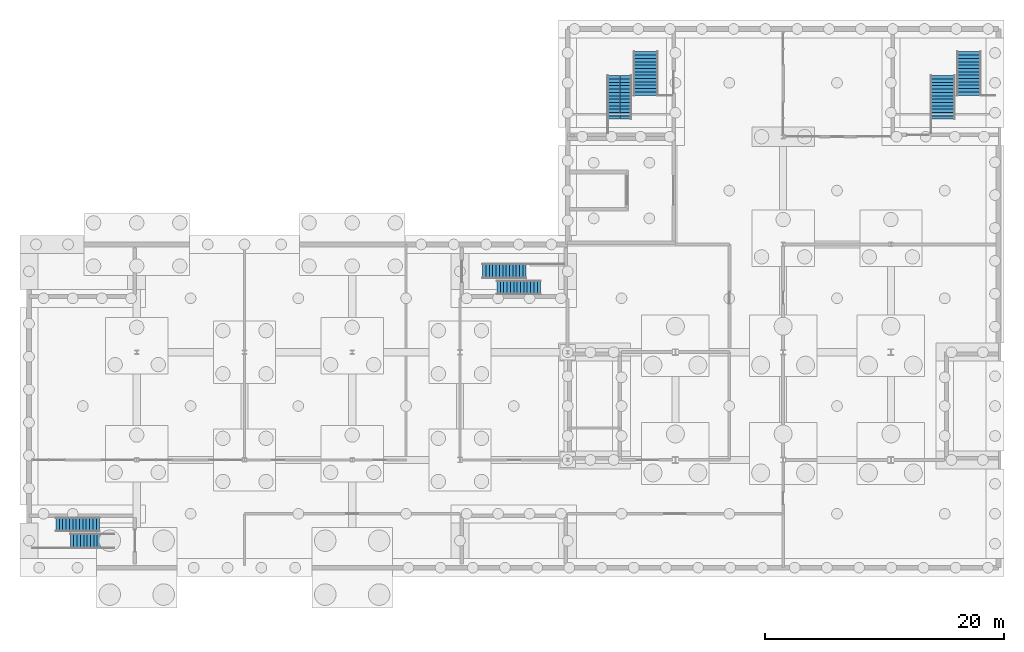
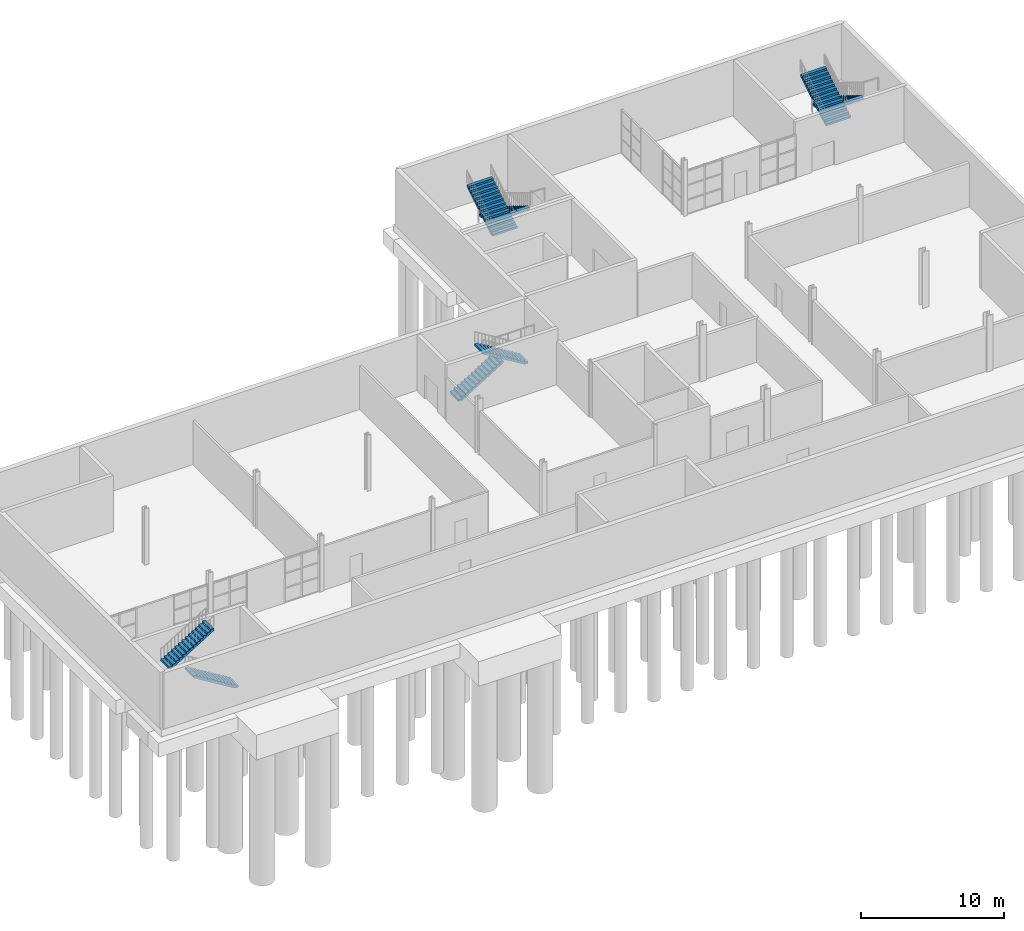
# One storey, part 14 of 17: 8 stair flights, 4 elements without a shape of their own.
"""IFC4 building model written with IfcOpenShell, lengths in metres."""

from ifc_helpers import new_model, si_unit, direction, frame, origin, place, context, subcontext, project, spatial, polyline, outline, extrude, material, type_object, element, aggregate, save


model = new_model("IFC4")

# Units and contexts
model_context = context("Model", 3, precision=1e-05, world=origin(), true_north=direction((0.0, 1.0)))
body_context = subcontext(model_context, "Body", "Model", "MODEL_VIEW")
ifc_project = project(units=[si_unit("LENGTHUNIT", "METRE"), si_unit("AREAUNIT", "SQUARE_METRE"), si_unit("VOLUMEUNIT", "CUBIC_METRE"), si_unit("PLANEANGLEUNIT", "RADIAN"), si_unit("MASSUNIT", "GRAM", prefix="KILO")], contexts=[model_context])

# Site, building, storey
site_placement = place(None, origin())
site = spatial("IfcSite", under=ifc_project, at=site_placement, CompositionType="ELEMENT")
building_placement = place(site_placement, origin())
building = spatial("IfcBuilding", under=site, at=building_placement, Name="Halyard Row Museum", CompositionType="ELEMENT")
storey_placement = place(building_placement, frame((0.0, 0.0, -9.60009765625)))
storey = spatial("IfcBuildingStorey", under=building, at=storey_placement, Name="B2", CompositionType="ELEMENT", Elevation=-9.60009765625)

# Stair, stair flights
ifc_material_1 = material(Name="Concrete 40 MPa", Category="concrete")
stair_type_1 = type_object("IfcStairType", Name="Exit stair two flights 1200", PredefinedType="HALF_TURN_STAIR", material=ifc_material_1)
stair_1_placement = place(storey_placement, origin())
stair_1 = element("IfcStair", 1, at=stair_1_placement, inside=storey, type_object=stair_type_1, Name="Exit stair K1B B2", PredefinedType="HALF_TURN_STAIR")
ifc_material_2 = material(Name="Concrete 40 MPa", Category="concrete")
stair_flight_type_1 = type_object("IfcStairFlightType", Name="Exit stair flight 1200", PredefinedType="STRAIGHT", material=ifc_material_2)
stair_flight_1_placement = place(storey_placement, frame((64.89990234375, 42.75, 0.0), z_axis=(0.0, 0.0, 1.0), x_axis=(1.0, 0.0, 0.0)))
stair_flight_1 = element("IfcStairFlight", 2, at=stair_flight_1_placement, type_object=stair_flight_type_1, Name="STK1B-B2 flight 1", NumberOfRisers=14, NumberOfTreads=13, PredefinedType="STRAIGHT", RiserHeight=0.171428571, TreadLength=0.28, context=body_context, shape_type="SweptSolid", body=[
    extrude(outline(polyline([(0.0, 0.0), (0.0, 0.17138671875), (0.280029296875, 0.17138671875), (0.280029296875, 0.3427734375), (0.56005859375, 0.3427734375), (0.56005859375, 0.514404296875), (0.840087890625, 0.514404296875), (0.840087890625, 0.685791015625), (1.1201171875, 0.685791015625), (1.1201171875, 0.857177734375), (1.39990234375, 0.857177734375), (1.39990234375, 1.028564453125), (1.679931640625, 1.028564453125), (1.679931640625, 1.199951171875), (1.9599609375, 1.199951171875), (1.9599609375, 1.371337890625), (2.239990234375, 1.371337890625), (2.239990234375, 1.54296875), (2.52001953125, 1.54296875), (2.52001953125, 1.71435546875), (2.800048828125, 1.71435546875), (2.800048828125, 1.8857421875), (3.080078125, 1.8857421875), (3.080078125, 2.05712890625), (3.360107421875, 2.05712890625), (3.360107421875, 2.228515625), (3.639892578125, 2.228515625), (3.639892578125, 2.39990234375), (3.639892578125, 2.052734375), (0.287109375, 0.0), (0.0, 0.0)])), frame((0.0, 0.60009765625, 0.0), z_axis=(0.0, -1.0, 0.0), x_axis=(1.0, 0.0, 0.0)), (0.0, 0.0, 1.0), 0.59912109375),
    extrude(outline(polyline([(0.0, 0.0), (0.0, 0.17138671875), (0.280029296875, 0.17138671875), (0.280029296875, 0.3427734375), (0.56005859375, 0.3427734375), (0.56005859375, 0.514404296875), (0.840087890625, 0.514404296875), (0.840087890625, 0.685791015625), (1.1201171875, 0.685791015625), (1.1201171875, 0.857177734375), (1.39990234375, 0.857177734375), (1.39990234375, 1.028564453125), (1.679931640625, 1.028564453125), (1.679931640625, 1.199951171875), (1.9599609375, 1.199951171875), (1.9599609375, 1.371337890625), (2.239990234375, 1.371337890625), (2.239990234375, 1.54296875), (2.52001953125, 1.54296875), (2.52001953125, 1.71435546875), (2.800048828125, 1.71435546875), (2.800048828125, 1.8857421875), (3.080078125, 1.8857421875), (3.080078125, 2.05712890625), (3.360107421875, 2.05712890625), (3.360107421875, 2.228515625), (3.639892578125, 2.228515625), (3.639892578125, 2.39990234375), (3.639892578125, 2.052734375), (0.287109375, 0.0), (0.0, 0.0)])), frame((0.0, -0.0009765625, 0.0), z_axis=(0.0, -1.0, 0.0), x_axis=(1.0, 0.0, 0.0)), (0.0, 0.0, 1.0), 0.59912109375),
])
stair_flight_2_placement = place(storey_placement, frame((69.739990234375, 41.39990234375, 2.400146484375), z_axis=(0.0, 0.0, 1.0), x_axis=(-1.0, 0.0, 0.0)))
stair_flight_2 = element("IfcStairFlight", 3, at=stair_flight_2_placement, type_object=stair_flight_type_1, Name="STK1B-B2 flight 2", NumberOfRisers=14, NumberOfTreads=13, PredefinedType="STRAIGHT", RiserHeight=0.171428571, TreadLength=0.28, context=body_context, shape_type="SweptSolid", body=[
    extrude(outline(polyline([(0.0, 0.0), (0.0, 0.17138671875), (0.280029296875, 0.17138671875), (0.280029296875, 0.3427734375), (0.56005859375, 0.3427734375), (0.56005859375, 0.514404296875), (0.840087890625, 0.514404296875), (0.840087890625, 0.685791015625), (1.1201171875, 0.685791015625), (1.1201171875, 0.857177734375), (1.39990234375, 0.857177734375), (1.39990234375, 1.028564453125), (1.679931640625, 1.028564453125), (1.679931640625, 1.199951171875), (1.9599609375, 1.199951171875), (1.9599609375, 1.371337890625), (2.239990234375, 1.371337890625), (2.239990234375, 1.54296875), (2.52001953125, 1.54296875), (2.52001953125, 1.71435546875), (2.800048828125, 1.71435546875), (2.800048828125, 1.8857421875), (3.080078125, 1.8857421875), (3.080078125, 2.05712890625), (3.360107421875, 2.05712890625), (3.360107421875, 2.228515625), (3.639892578125, 2.228515625), (3.639892578125, 2.39990234375), (3.639892578125, 2.052734375), (0.287109375, 0.0), (0.0, 0.0)])), frame((0.0, 0.60009765625, 0.0), z_axis=(0.0, -1.0, 0.0), x_axis=(1.0, 0.0, 0.0)), (0.0, 0.0, 1.0), 0.59912109375),
    extrude(outline(polyline([(0.0, 0.0), (0.0, 0.17138671875), (0.280029296875, 0.17138671875), (0.280029296875, 0.3427734375), (0.56005859375, 0.3427734375), (0.56005859375, 0.514404296875), (0.840087890625, 0.514404296875), (0.840087890625, 0.685791015625), (1.1201171875, 0.685791015625), (1.1201171875, 0.857177734375), (1.39990234375, 0.857177734375), (1.39990234375, 1.028564453125), (1.679931640625, 1.028564453125), (1.679931640625, 1.199951171875), (1.9599609375, 1.199951171875), (1.9599609375, 1.371337890625), (2.239990234375, 1.371337890625), (2.239990234375, 1.54296875), (2.52001953125, 1.54296875), (2.52001953125, 1.71435546875), (2.800048828125, 1.71435546875), (2.800048828125, 1.8857421875), (3.080078125, 1.8857421875), (3.080078125, 2.05712890625), (3.360107421875, 2.05712890625), (3.360107421875, 2.228515625), (3.639892578125, 2.228515625), (3.639892578125, 2.39990234375), (3.639892578125, 2.052734375), (0.287109375, 0.0), (0.0, 0.0)])), frame((0.0, -0.0009765625, 0.0), z_axis=(0.0, -1.0, 0.0), x_axis=(1.0, 0.0, 0.0)), (0.0, 0.0, 1.0), 0.59912109375),
])
aggregate(stair_1, [stair_flight_1, stair_flight_2])

stair_2_placement = place(storey_placement, origin())
stair_2 = element("IfcStair", 4, at=stair_2_placement, inside=storey, type_object=stair_type_1, Name="Exit stair K1D B2", PredefinedType="HALF_TURN_STAIR")
stair_flight_3_placement = place(storey_placement, frame((34.10009765625, 20.25, 0.0), z_axis=(0.0, 0.0, 1.0), x_axis=(-1.0, 0.0, 0.0)))
stair_flight_3 = element("IfcStairFlight", 5, at=stair_flight_3_placement, type_object=stair_flight_type_1, Name="STK1D-B2 flight 1", NumberOfRisers=14, NumberOfTreads=13, PredefinedType="STRAIGHT", RiserHeight=0.171428571, TreadLength=0.28, context=body_context, shape_type="SweptSolid", body=[
    extrude(outline(polyline([(0.0, 0.0), (0.0, 0.17138671875), (0.280029296875, 0.17138671875), (0.280029296875, 0.3427734375), (0.56005859375, 0.3427734375), (0.56005859375, 0.514404296875), (0.840087890625, 0.514404296875), (0.840087890625, 0.685791015625), (1.1201171875, 0.685791015625), (1.1201171875, 0.857177734375), (1.39990234375, 0.857177734375), (1.39990234375, 1.028564453125), (1.679931640625, 1.028564453125), (1.679931640625, 1.199951171875), (1.9599609375, 1.199951171875), (1.9599609375, 1.371337890625), (2.239990234375, 1.371337890625), (2.239990234375, 1.54296875), (2.52001953125, 1.54296875), (2.52001953125, 1.71435546875), (2.800048828125, 1.71435546875), (2.800048828125, 1.8857421875), (3.080078125, 1.8857421875), (3.080078125, 2.05712890625), (3.360107421875, 2.05712890625), (3.360107421875, 2.228515625), (3.639892578125, 2.228515625), (3.639892578125, 2.39990234375), (3.639892578125, 2.052734375), (0.287109375, 0.0), (0.0, 0.0)])), frame((0.0, 0.60009765625, 0.0), z_axis=(0.0, -1.0, 0.0), x_axis=(1.0, 0.0, 0.0)), (0.0, 0.0, 1.0), 0.59912109375),
    extrude(outline(polyline([(0.0, 0.0), (0.0, 0.17138671875), (0.280029296875, 0.17138671875), (0.280029296875, 0.3427734375), (0.56005859375, 0.3427734375), (0.56005859375, 0.514404296875), (0.840087890625, 0.514404296875), (0.840087890625, 0.685791015625), (1.1201171875, 0.685791015625), (1.1201171875, 0.857177734375), (1.39990234375, 0.857177734375), (1.39990234375, 1.028564453125), (1.679931640625, 1.028564453125), (1.679931640625, 1.199951171875), (1.9599609375, 1.199951171875), (1.9599609375, 1.371337890625), (2.239990234375, 1.371337890625), (2.239990234375, 1.54296875), (2.52001953125, 1.54296875), (2.52001953125, 1.71435546875), (2.800048828125, 1.71435546875), (2.800048828125, 1.8857421875), (3.080078125, 1.8857421875), (3.080078125, 2.05712890625), (3.360107421875, 2.05712890625), (3.360107421875, 2.228515625), (3.639892578125, 2.228515625), (3.639892578125, 2.39990234375), (3.639892578125, 2.052734375), (0.287109375, 0.0), (0.0, 0.0)])), frame((0.0, -0.0009765625, 0.0), z_axis=(0.0, -1.0, 0.0), x_axis=(1.0, 0.0, 0.0)), (0.0, 0.0, 1.0), 0.59912109375),
])
stair_flight_4_placement = place(storey_placement, frame((29.260009765625, 21.60009765625, 2.400146484375), z_axis=(0.0, 0.0, 1.0), x_axis=(1.0, 0.0, 0.0)))
stair_flight_4 = element("IfcStairFlight", 6, at=stair_flight_4_placement, type_object=stair_flight_type_1, Name="STK1D-B2 flight 2", NumberOfRisers=14, NumberOfTreads=13, PredefinedType="STRAIGHT", RiserHeight=0.171428571, TreadLength=0.28, context=body_context, shape_type="SweptSolid", body=[
    extrude(outline(polyline([(0.0, 0.0), (0.0, 0.17138671875), (0.280029296875, 0.17138671875), (0.280029296875, 0.3427734375), (0.56005859375, 0.3427734375), (0.56005859375, 0.514404296875), (0.840087890625, 0.514404296875), (0.840087890625, 0.685791015625), (1.1201171875, 0.685791015625), (1.1201171875, 0.857177734375), (1.39990234375, 0.857177734375), (1.39990234375, 1.028564453125), (1.679931640625, 1.028564453125), (1.679931640625, 1.199951171875), (1.9599609375, 1.199951171875), (1.9599609375, 1.371337890625), (2.239990234375, 1.371337890625), (2.239990234375, 1.54296875), (2.52001953125, 1.54296875), (2.52001953125, 1.71435546875), (2.800048828125, 1.71435546875), (2.800048828125, 1.8857421875), (3.080078125, 1.8857421875), (3.080078125, 2.05712890625), (3.360107421875, 2.05712890625), (3.360107421875, 2.228515625), (3.639892578125, 2.228515625), (3.639892578125, 2.39990234375), (3.639892578125, 2.052734375), (0.287109375, 0.0), (0.0, 0.0)])), frame((0.0, 0.60009765625, 0.0), z_axis=(0.0, -1.0, 0.0), x_axis=(1.0, 0.0, 0.0)), (0.0, 0.0, 1.0), 0.59912109375),
    extrude(outline(polyline([(0.0, 0.0), (0.0, 0.17138671875), (0.280029296875, 0.17138671875), (0.280029296875, 0.3427734375), (0.56005859375, 0.3427734375), (0.56005859375, 0.514404296875), (0.840087890625, 0.514404296875), (0.840087890625, 0.685791015625), (1.1201171875, 0.685791015625), (1.1201171875, 0.857177734375), (1.39990234375, 0.857177734375), (1.39990234375, 1.028564453125), (1.679931640625, 1.028564453125), (1.679931640625, 1.199951171875), (1.9599609375, 1.199951171875), (1.9599609375, 1.371337890625), (2.239990234375, 1.371337890625), (2.239990234375, 1.54296875), (2.52001953125, 1.54296875), (2.52001953125, 1.71435546875), (2.800048828125, 1.71435546875), (2.800048828125, 1.8857421875), (3.080078125, 1.8857421875), (3.080078125, 2.05712890625), (3.360107421875, 2.05712890625), (3.360107421875, 2.228515625), (3.639892578125, 2.228515625), (3.639892578125, 2.39990234375), (3.639892578125, 2.052734375), (0.287109375, 0.0), (0.0, 0.0)])), frame((0.0, -0.0009765625, 0.0), z_axis=(0.0, -1.0, 0.0), x_axis=(1.0, 0.0, 0.0)), (0.0, 0.0, 1.0), 0.59912109375),
])
aggregate(stair_2, [stair_flight_3, stair_flight_4])

ifc_material_3 = material(Name="Concrete 40 MPa", Category="concrete")
stair_type_2 = type_object("IfcStairType", Name="Exit stair two flights 2000", PredefinedType="HALF_TURN_STAIR", material=ifc_material_3)
stair_3_placement = place(storey_placement, origin())
stair_3 = element("IfcStair", 7, at=stair_3_placement, inside=storey, type_object=stair_type_2, Name="Exit stair K5A B2", PredefinedType="HALF_TURN_STAIR")
ifc_material_4 = material(Name="Concrete 40 MPa", Category="concrete")
stair_flight_type_2 = type_object("IfcStairFlightType", Name="Exit stair flight 2000", PredefinedType="STRAIGHT", material=ifc_material_4)
stair_flight_5_placement = place(storey_placement, frame((78.5, 61.10009765625, 0.0), z_axis=(0.0, 0.0, 1.0), x_axis=(0.0, -1.0, 0.0)))
stair_flight_5 = element("IfcStairFlight", 8, at=stair_flight_5_placement, type_object=stair_flight_type_2, Name="STK5A-B2 flight 1", NumberOfRisers=14, NumberOfTreads=13, PredefinedType="STRAIGHT", RiserHeight=0.171428571, TreadLength=0.28, context=body_context, shape_type="SweptSolid", body=[
    extrude(outline(polyline([(0.0, 0.0), (0.0, 0.17138671875), (0.280029296875, 0.17138671875), (0.280029296875, 0.3427734375), (0.56005859375, 0.3427734375), (0.56005859375, 0.514404296875), (0.840087890625, 0.514404296875), (0.840087890625, 0.685791015625), (1.1201171875, 0.685791015625), (1.1201171875, 0.857177734375), (1.39990234375, 0.857177734375), (1.39990234375, 1.028564453125), (1.679931640625, 1.028564453125), (1.679931640625, 1.199951171875), (1.9599609375, 1.199951171875), (1.9599609375, 1.371337890625), (2.239990234375, 1.371337890625), (2.239990234375, 1.54296875), (2.52001953125, 1.54296875), (2.52001953125, 1.71435546875), (2.800048828125, 1.71435546875), (2.800048828125, 1.8857421875), (3.080078125, 1.8857421875), (3.080078125, 2.05712890625), (3.360107421875, 2.05712890625), (3.360107421875, 2.228515625), (3.639892578125, 2.228515625), (3.639892578125, 2.39990234375), (3.639892578125, 2.052734375), (0.287109375, 0.0), (0.0, 0.0)])), frame((0.0, 1.0, 0.0), z_axis=(0.0, -1.0, 0.0), x_axis=(1.0, 0.0, 0.0)), (0.0, 0.0, 1.0), 0.9990234375),
    extrude(outline(polyline([(0.0, 0.0), (0.0, 0.17138671875), (0.280029296875, 0.17138671875), (0.280029296875, 0.3427734375), (0.56005859375, 0.3427734375), (0.56005859375, 0.514404296875), (0.840087890625, 0.514404296875), (0.840087890625, 0.685791015625), (1.1201171875, 0.685791015625), (1.1201171875, 0.857177734375), (1.39990234375, 0.857177734375), (1.39990234375, 1.028564453125), (1.679931640625, 1.028564453125), (1.679931640625, 1.199951171875), (1.9599609375, 1.199951171875), (1.9599609375, 1.371337890625), (2.239990234375, 1.371337890625), (2.239990234375, 1.54296875), (2.52001953125, 1.54296875), (2.52001953125, 1.71435546875), (2.800048828125, 1.71435546875), (2.800048828125, 1.8857421875), (3.080078125, 1.8857421875), (3.080078125, 2.05712890625), (3.360107421875, 2.05712890625), (3.360107421875, 2.228515625), (3.639892578125, 2.228515625), (3.639892578125, 2.39990234375), (3.639892578125, 2.052734375), (0.287109375, 0.0), (0.0, 0.0)])), frame((0.0, -0.0009765625, 0.0), z_axis=(0.0, -1.0, 0.0), x_axis=(1.0, 0.0, 0.0)), (0.0, 0.0, 1.0), 0.9990234375),
])
stair_flight_6_placement = place(storey_placement, frame((76.35009765625, 55.4599609375, 2.400146484375), z_axis=(0.0, 0.0, 1.0), x_axis=(0.0, 1.0, 0.0)))
stair_flight_6 = element("IfcStairFlight", 9, at=stair_flight_6_placement, type_object=stair_flight_type_2, Name="STK5A-B2 flight 2", NumberOfRisers=14, NumberOfTreads=13, PredefinedType="STRAIGHT", RiserHeight=0.171428571, TreadLength=0.28, context=body_context, shape_type="SweptSolid", body=[
    extrude(outline(polyline([(0.0, 0.0), (0.0, 0.17138671875), (0.280029296875, 0.17138671875), (0.280029296875, 0.3427734375), (0.56005859375, 0.3427734375), (0.56005859375, 0.514404296875), (0.840087890625, 0.514404296875), (0.840087890625, 0.685791015625), (1.1201171875, 0.685791015625), (1.1201171875, 0.857177734375), (1.39990234375, 0.857177734375), (1.39990234375, 1.028564453125), (1.679931640625, 1.028564453125), (1.679931640625, 1.199951171875), (1.9599609375, 1.199951171875), (1.9599609375, 1.371337890625), (2.239990234375, 1.371337890625), (2.239990234375, 1.54296875), (2.52001953125, 1.54296875), (2.52001953125, 1.71435546875), (2.800048828125, 1.71435546875), (2.800048828125, 1.8857421875), (3.080078125, 1.8857421875), (3.080078125, 2.05712890625), (3.360107421875, 2.05712890625), (3.360107421875, 2.228515625), (3.639892578125, 2.228515625), (3.639892578125, 2.39990234375), (3.639892578125, 2.052734375), (0.287109375, 0.0), (0.0, 0.0)])), frame((0.0, 1.0, 0.0), z_axis=(0.0, -1.0, 0.0), x_axis=(1.0, 0.0, 0.0)), (0.0, 0.0, 1.0), 0.9990234375),
    extrude(outline(polyline([(0.0, 0.0), (0.0, 0.17138671875), (0.280029296875, 0.17138671875), (0.280029296875, 0.3427734375), (0.56005859375, 0.3427734375), (0.56005859375, 0.514404296875), (0.840087890625, 0.514404296875), (0.840087890625, 0.685791015625), (1.1201171875, 0.685791015625), (1.1201171875, 0.857177734375), (1.39990234375, 0.857177734375), (1.39990234375, 1.028564453125), (1.679931640625, 1.028564453125), (1.679931640625, 1.199951171875), (1.9599609375, 1.199951171875), (1.9599609375, 1.371337890625), (2.239990234375, 1.371337890625), (2.239990234375, 1.54296875), (2.52001953125, 1.54296875), (2.52001953125, 1.71435546875), (2.800048828125, 1.71435546875), (2.800048828125, 1.8857421875), (3.080078125, 1.8857421875), (3.080078125, 2.05712890625), (3.360107421875, 2.05712890625), (3.360107421875, 2.228515625), (3.639892578125, 2.228515625), (3.639892578125, 2.39990234375), (3.639892578125, 2.052734375), (0.287109375, 0.0), (0.0, 0.0)])), frame((0.0, -0.0009765625, 0.0), z_axis=(0.0, -1.0, 0.0), x_axis=(1.0, 0.0, 0.0)), (0.0, 0.0, 1.0), 0.9990234375),
])
aggregate(stair_3, [stair_flight_5, stair_flight_6])

stair_4_placement = place(storey_placement, origin())
stair_4 = element("IfcStair", 10, at=stair_4_placement, inside=storey, type_object=stair_type_2, Name="Exit stair K5B B2", PredefinedType="HALF_TURN_STAIR")
stair_flight_7_placement = place(storey_placement, frame((105.5, 61.10009765625, 0.0), z_axis=(0.0, 0.0, 1.0), x_axis=(0.0, -1.0, 0.0)))
stair_flight_7 = element("IfcStairFlight", 11, at=stair_flight_7_placement, type_object=stair_flight_type_2, Name="STK5B-B2 flight 1", NumberOfRisers=14, NumberOfTreads=13, PredefinedType="STRAIGHT", RiserHeight=0.171428571, TreadLength=0.28, context=body_context, shape_type="SweptSolid", body=[
    extrude(outline(polyline([(0.0, 0.0), (0.0, 0.17138671875), (0.280029296875, 0.17138671875), (0.280029296875, 0.3427734375), (0.56005859375, 0.3427734375), (0.56005859375, 0.514404296875), (0.840087890625, 0.514404296875), (0.840087890625, 0.685791015625), (1.1201171875, 0.685791015625), (1.1201171875, 0.857177734375), (1.39990234375, 0.857177734375), (1.39990234375, 1.028564453125), (1.679931640625, 1.028564453125), (1.679931640625, 1.199951171875), (1.9599609375, 1.199951171875), (1.9599609375, 1.371337890625), (2.239990234375, 1.371337890625), (2.239990234375, 1.54296875), (2.52001953125, 1.54296875), (2.52001953125, 1.71435546875), (2.800048828125, 1.71435546875), (2.800048828125, 1.8857421875), (3.080078125, 1.8857421875), (3.080078125, 2.05712890625), (3.360107421875, 2.05712890625), (3.360107421875, 2.228515625), (3.639892578125, 2.228515625), (3.639892578125, 2.39990234375), (3.639892578125, 2.052734375), (0.287109375, 0.0), (0.0, 0.0)])), frame((0.0, 1.0, 0.0), z_axis=(0.0, -1.0, 0.0), x_axis=(1.0, 0.0, 0.0)), (0.0, 0.0, 1.0), 0.9990234375),
    extrude(outline(polyline([(0.0, 0.0), (0.0, 0.17138671875), (0.280029296875, 0.17138671875), (0.280029296875, 0.3427734375), (0.56005859375, 0.3427734375), (0.56005859375, 0.514404296875), (0.840087890625, 0.514404296875), (0.840087890625, 0.685791015625), (1.1201171875, 0.685791015625), (1.1201171875, 0.857177734375), (1.39990234375, 0.857177734375), (1.39990234375, 1.028564453125), (1.679931640625, 1.028564453125), (1.679931640625, 1.199951171875), (1.9599609375, 1.199951171875), (1.9599609375, 1.371337890625), (2.239990234375, 1.371337890625), (2.239990234375, 1.54296875), (2.52001953125, 1.54296875), (2.52001953125, 1.71435546875), (2.800048828125, 1.71435546875), (2.800048828125, 1.8857421875), (3.080078125, 1.8857421875), (3.080078125, 2.05712890625), (3.360107421875, 2.05712890625), (3.360107421875, 2.228515625), (3.639892578125, 2.228515625), (3.639892578125, 2.39990234375), (3.639892578125, 2.052734375), (0.287109375, 0.0), (0.0, 0.0)])), frame((0.0, -0.0009765625, 0.0), z_axis=(0.0, -1.0, 0.0), x_axis=(1.0, 0.0, 0.0)), (0.0, 0.0, 1.0), 0.9990234375),
])
stair_flight_8_placement = place(storey_placement, frame((103.35009765625, 55.4599609375, 2.400146484375), z_axis=(0.0, 0.0, 1.0), x_axis=(0.0, 1.0, 0.0)))
stair_flight_8 = element("IfcStairFlight", 12, at=stair_flight_8_placement, type_object=stair_flight_type_2, Name="STK5B-B2 flight 2", NumberOfRisers=14, NumberOfTreads=13, PredefinedType="STRAIGHT", RiserHeight=0.171428571, TreadLength=0.28, context=body_context, shape_type="SweptSolid", body=[
    extrude(outline(polyline([(0.0, 0.0), (0.0, 0.17138671875), (0.280029296875, 0.17138671875), (0.280029296875, 0.3427734375), (0.56005859375, 0.3427734375), (0.56005859375, 0.514404296875), (0.840087890625, 0.514404296875), (0.840087890625, 0.685791015625), (1.1201171875, 0.685791015625), (1.1201171875, 0.857177734375), (1.39990234375, 0.857177734375), (1.39990234375, 1.028564453125), (1.679931640625, 1.028564453125), (1.679931640625, 1.199951171875), (1.9599609375, 1.199951171875), (1.9599609375, 1.371337890625), (2.239990234375, 1.371337890625), (2.239990234375, 1.54296875), (2.52001953125, 1.54296875), (2.52001953125, 1.71435546875), (2.800048828125, 1.71435546875), (2.800048828125, 1.8857421875), (3.080078125, 1.8857421875), (3.080078125, 2.05712890625), (3.360107421875, 2.05712890625), (3.360107421875, 2.228515625), (3.639892578125, 2.228515625), (3.639892578125, 2.39990234375), (3.639892578125, 2.052734375), (0.287109375, 0.0), (0.0, 0.0)])), frame((0.0, 1.0, 0.0), z_axis=(0.0, -1.0, 0.0), x_axis=(1.0, 0.0, 0.0)), (0.0, 0.0, 1.0), 0.9990234375),
    extrude(outline(polyline([(0.0, 0.0), (0.0, 0.17138671875), (0.280029296875, 0.17138671875), (0.280029296875, 0.3427734375), (0.56005859375, 0.3427734375), (0.56005859375, 0.514404296875), (0.840087890625, 0.514404296875), (0.840087890625, 0.685791015625), (1.1201171875, 0.685791015625), (1.1201171875, 0.857177734375), (1.39990234375, 0.857177734375), (1.39990234375, 1.028564453125), (1.679931640625, 1.028564453125), (1.679931640625, 1.199951171875), (1.9599609375, 1.199951171875), (1.9599609375, 1.371337890625), (2.239990234375, 1.371337890625), (2.239990234375, 1.54296875), (2.52001953125, 1.54296875), (2.52001953125, 1.71435546875), (2.800048828125, 1.71435546875), (2.800048828125, 1.8857421875), (3.080078125, 1.8857421875), (3.080078125, 2.05712890625), (3.360107421875, 2.05712890625), (3.360107421875, 2.228515625), (3.639892578125, 2.228515625), (3.639892578125, 2.39990234375), (3.639892578125, 2.052734375), (0.287109375, 0.0), (0.0, 0.0)])), frame((0.0, -0.0009765625, 0.0), z_axis=(0.0, -1.0, 0.0), x_axis=(1.0, 0.0, 0.0)), (0.0, 0.0, 1.0), 0.9990234375),
])
aggregate(stair_4, [stair_flight_7, stair_flight_8])

save(model, "model.ifc")
